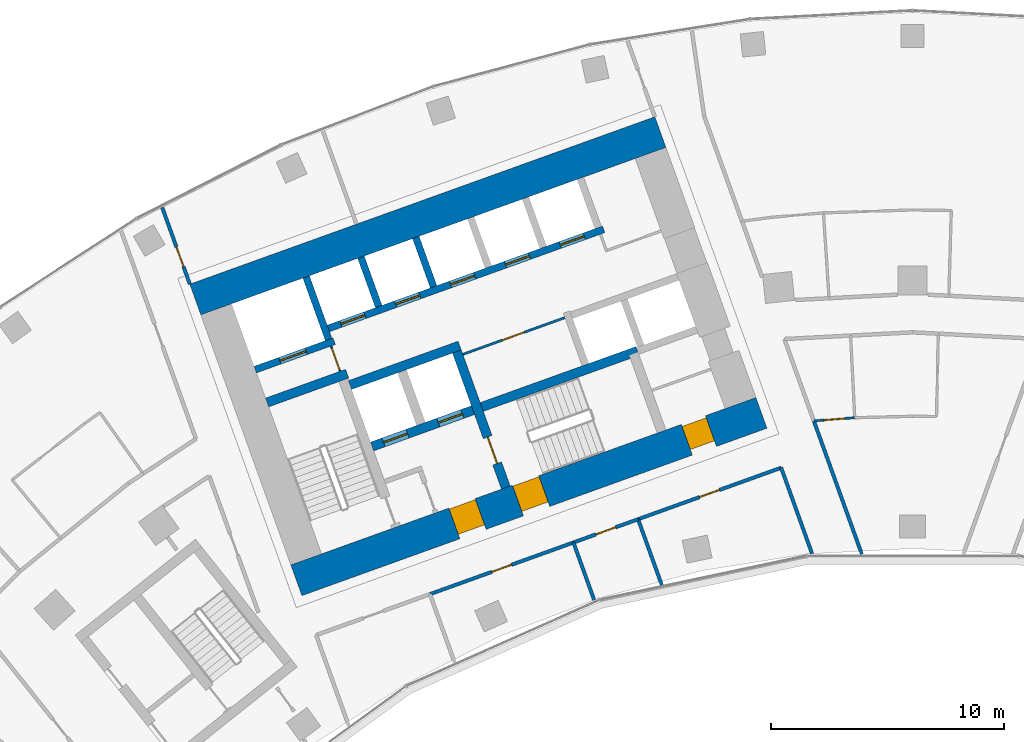
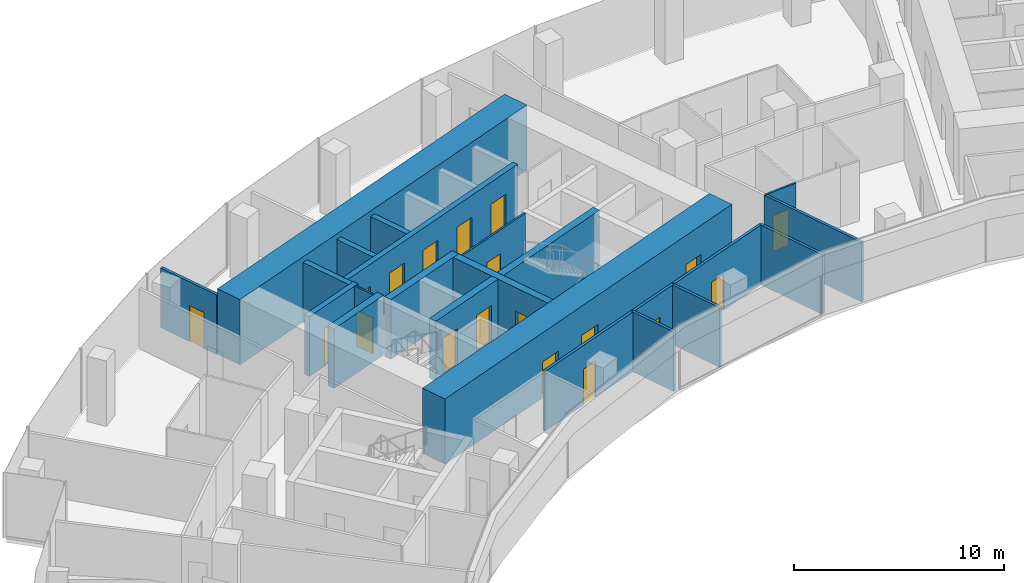
# One storey, part 14 of 21: 22 walls, 19 doors, 19 openings.
"""IFC4 building model written with IfcOpenShell, lengths in metres."""

from ifc_helpers import new_model, si_unit, direction, frame, frame_2d, origin, place, context, subcontext, project, spatial, rectangle, extrude, material, layer, layer_set, type_object, element, fill, save


model = new_model("IFC4")

# Units and contexts
model_context = context("Model", 3, precision=1e-05, world=origin(), true_north=direction((0.0, 1.0)))
body_context = subcontext(model_context, "Body", "Model", "MODEL_VIEW")
ifc_project = project(units=[si_unit("LENGTHUNIT", "METRE"), si_unit("AREAUNIT", "SQUARE_METRE"), si_unit("VOLUMEUNIT", "CUBIC_METRE"), si_unit("PLANEANGLEUNIT", "RADIAN"), si_unit("MASSUNIT", "GRAM", prefix="KILO")], contexts=[model_context])

# Site, building, storey
site_placement = place(None, origin())
site = spatial("IfcSite", under=ifc_project, at=site_placement, CompositionType="ELEMENT")
building_placement = place(site_placement, origin())
building = spatial("IfcBuilding", under=site, at=building_placement, Name="Stone Belt Terrace Tower", CompositionType="ELEMENT")
storey_placement = place(building_placement, frame((0.0, 0.0, 159.199951171875)))
storey = spatial("IfcBuildingStorey", under=building, at=storey_placement, Name="L38", CompositionType="ELEMENT", Elevation=159.199951171875)

# Wall, opening, door
ifc_material_1 = material(Name="Plasterboard partition")
ifc_layer_1 = layer(ifc_material_1, 0.10009765625)
ifc_layer_set_1 = layer_set([ifc_layer_1], Name="Core partition 100")
wall_type_1 = type_object("IfcWallType", Name="Core partition 100", PredefinedType="PARTITIONING", material=ifc_layer_set_1)
wall_1_placement = place(storey_placement, frame((-24.555908203125, 51.10400390625, 0.0), z_axis=(0.0, 0.0, 1.0), x_axis=(-0.338621735342, 0.94092258999, 0.0)))
wall_1 = element("IfcWall", 1, at=wall_1_placement, inside=storey, type_object=wall_type_1, Name="Core A wall", PredefinedType="PARTITIONING", context=body_context, shape_type="SweptSolid", body=[
    extrude(rectangle(XDim=1.14990234375, YDim=0.10009765625, at=frame_2d((0.574951171875, 0.0))), origin(), (0.0, 0.0, 1.0), 3.47998046875),
])
opening_1_placement = place(wall_1_placement, frame((0.050048828125, 0.0, 0.0)))
opening_1 = element("IfcOpeningElement", 2, at=opening_1_placement, cuts=wall_1, Name="Opening L38-C03", PredefinedType="OPENING", context=body_context, shape_type="SweptSolid", body=[
    extrude(rectangle(XDim=1.0, YDim=2.10009765625, at=frame_2d((0.5, 1.050048828125))), frame((0.0, 0.06005859375, 0.0), z_axis=(0.0, -1.0, 0.0), x_axis=(1.0, 0.0, 0.0)), (0.0, 0.0, 1.0), 0.1201171875),
])
ifc_material_2 = material(Name="Timber door leaf", Category="wood")
door_type_1 = type_object("IfcDoorType", Name="Core room door 1000", OperationType="SINGLE_SWING_LEFT", PredefinedType="DOOR", material=ifc_material_2)
door_1_placement = place(opening_1_placement, origin())
door_1 = element("IfcDoor", 3, at=door_1_placement, inside=storey, type_object=door_type_1, Name="Service lift lobby door core A", OperationType="SINGLE_SWING_RIGHT", OverallHeight=2.10009765625, OverallWidth=1.0, PredefinedType="DOOR", context=body_context, shape_type="SweptSolid", body=[
    extrude(rectangle(XDim=1.0, YDim=2.10009765625, at=frame_2d((0.5, 1.050048828125))), frame((0.0, 0.02490234375, 0.0), z_axis=(0.0, -1.0, 0.0), x_axis=(1.0, 0.0, 0.0)), (0.0, 0.0, 1.0), 0.050048828125),
])
fill(opening_1, door_1)

wall_2_placement = place(storey_placement, frame((-19.29052734375, 51.829833984375, 0.0), z_axis=(0.0, 0.0, 1.0), x_axis=(0.940930240745, 0.338600475563, 0.0)))
wall_2 = element("IfcWall", 4, at=wall_2_placement, inside=storey, type_object=wall_type_1, Name="Core A wall", PredefinedType="PARTITIONING", context=body_context, shape_type="SweptSolid", body=[
    extrude(rectangle(XDim=4.64990234375, YDim=0.10009765625, at=frame_2d((2.324951171875, 0.0))), origin(), (0.0, 0.0, 1.0), 3.47998046875),
])
opening_2_placement = place(wall_2_placement, frame((1.800048828125, 0.0, 0.0)))
opening_2 = element("IfcOpeningElement", 5, at=opening_2_placement, cuts=wall_2, Name="Opening L38-C02", PredefinedType="OPENING", context=body_context, shape_type="SweptSolid", body=[
    extrude(rectangle(XDim=1.0, YDim=2.10009765625, at=frame_2d((0.5, 1.050048828125))), frame((0.0, 0.06005859375, 0.0), z_axis=(0.0, -1.0, 0.0), x_axis=(1.0, 0.0, 0.0)), (0.0, 0.0, 1.0), 0.1201171875),
])
door_2_placement = place(opening_2_placement, origin())
door_2 = element("IfcDoor", 6, at=door_2_placement, inside=storey, type_object=door_type_1, Name="Door to Server room core A", OperationType="SINGLE_SWING_RIGHT", OverallHeight=2.10009765625, OverallWidth=1.0, PredefinedType="DOOR", context=body_context, shape_type="SweptSolid", body=[
    extrude(rectangle(XDim=1.0, YDim=2.10009765625, at=frame_2d((0.5, 1.050048828125))), frame((0.0, 0.02490234375, 0.0), z_axis=(0.0, -1.0, 0.0), x_axis=(1.0, 0.0, 0.0)), (0.0, 0.0, 1.0), 0.050048828125),
])
fill(opening_2, door_2)

# Wall, openings, doors
ifc_material_3 = material(Name="Concrete B80", Category="concrete")
ifc_layer_2 = layer(ifc_material_3, 1.39990234375)
ifc_layer_set_2 = layer_set([ifc_layer_2], Name="Core wall 1400 B80")
wall_type_2 = type_object("IfcWallType", Name="Core wall 1400 B80", PredefinedType="SHEAR", material=ifc_layer_set_2)
wall_3_placement = place(storey_placement, frame((-26.430908203125, 42.139404296875, 0.0), z_axis=(0.0, 0.0, 1.0), x_axis=(0.940923374003, 0.33861955681, 0.0)))
wall_3 = element("IfcWall", 7, at=wall_3_placement, inside=storey, type_object=wall_type_2, Name="Core A wall concave L38", PredefinedType="SHEAR", context=body_context, shape_type="SweptSolid", body=[
    extrude(rectangle(XDim=21.199951171875, YDim=1.39990234375, at=frame_2d((10.60009765625, 0.0))), origin(), (0.0, 0.0, 1.0), 3.800048828125),
])
opening_3_placement = place(wall_3_placement, frame((7.199951171875, 0.0, 0.0)))
opening_3 = element("IfcOpeningElement", 8, at=opening_3_placement, cuts=wall_3, Name="Opening L38-C07", PredefinedType="OPENING", context=body_context, shape_type="SweptSolid", body=[
    extrude(rectangle(XDim=1.199951171875, YDim=2.10009765625, at=frame_2d((0.60009765625, 1.050048828125))), frame((0.0, 0.7099609375, 0.0), z_axis=(0.0, -1.0, 0.0), x_axis=(1.0, 0.0, 0.0)), (0.0, 0.0, 1.0), 1.419921875),
])
opening_4_placement = place(wall_3_placement, frame((10.099853515625, 0.0, 0.0)))
opening_4 = element("IfcOpeningElement", 9, at=opening_4_placement, cuts=wall_3, Name="Opening L38-C09", PredefinedType="OPENING", context=body_context, shape_type="SweptSolid", body=[
    extrude(rectangle(XDim=1.199951171875, YDim=2.10009765625, at=frame_2d((0.60009765625, 1.050048828125))), frame((0.0, 0.7099609375, 0.0), z_axis=(0.0, -1.0, 0.0), x_axis=(1.0, 0.0, 0.0)), (0.0, 0.0, 1.0), 1.419921875),
])
opening_5_placement = place(wall_3_placement, frame((17.800048828125, 0.0, 0.0)))
opening_5 = element("IfcOpeningElement", 10, at=opening_5_placement, cuts=wall_3, Name="Opening L38-C11", PredefinedType="OPENING", context=body_context, shape_type="SweptSolid", body=[
    extrude(rectangle(XDim=1.10009765625, YDim=2.10009765625, at=frame_2d((0.550048828125, 1.050048828125))), frame((0.0, 0.7099609375, 0.0), z_axis=(0.0, -1.0, 0.0), x_axis=(1.0, 0.0, 0.0)), (0.0, 0.0, 1.0), 1.419921875),
])
door_type_2 = type_object("IfcDoorType", Name="Core room door 1100", OperationType="SINGLE_SWING_LEFT", PredefinedType="DOOR", material=ifc_material_2)
door_3_placement = place(opening_5_placement, origin())
door_3 = element("IfcDoor", 11, at=door_3_placement, inside=storey, type_object=door_type_2, Name="Door to Cleaner's store core A", OperationType="SINGLE_SWING_RIGHT", OverallHeight=2.10009765625, OverallWidth=1.10009765625, PredefinedType="DOOR", context=body_context, shape_type="SweptSolid", body=[
    extrude(rectangle(XDim=1.10009765625, YDim=2.10009765625, at=frame_2d((0.550048828125, 1.050048828125))), frame((0.0, 0.60498046875, 0.0), z_axis=(0.0, -1.0, 0.0), x_axis=(1.0, 0.0, 0.0)), (0.0, 0.0, 1.0), 1.050048828125),
])
fill(opening_5, door_3)
ifc_material_4 = material(Name="Steel door leaf", Category="steel")
door_type_3 = type_object("IfcDoorType", Name="Fire-fighting lobby door 1200", OperationType="SINGLE_SWING_LEFT", PredefinedType="DOOR", material=ifc_material_4)
door_4_placement = place(opening_3_placement, origin())
door_4 = element("IfcDoor", 12, at=door_4_placement, inside=storey, type_object=door_type_3, Name="Fire-fighting lobby door core A", OperationType="SINGLE_SWING_RIGHT", OverallHeight=2.10009765625, OverallWidth=1.199951171875, PredefinedType="DOOR", context=body_context, shape_type="SweptSolid", body=[
    extrude(rectangle(XDim=1.199951171875, YDim=2.10009765625, at=frame_2d((0.60009765625, 1.050048828125))), frame((0.0, 0.655029296875, 0.0), z_axis=(0.0, -1.0, 0.0), x_axis=(1.0, 0.0, 0.0)), (0.0, 0.0, 1.0), 1.14990234375),
])
fill(opening_3, door_4)
door_type_4 = type_object("IfcDoorType", Name="Stair door 1200", OperationType="SINGLE_SWING_LEFT", PredefinedType="DOOR", material=ifc_material_4)
door_5_placement = place(opening_4_placement, origin())
door_5 = element("IfcDoor", 13, at=door_5_placement, inside=storey, type_object=door_type_4, Name="Stair 2 exit door core A", OperationType="SINGLE_SWING_LEFT", OverallHeight=2.10009765625, OverallWidth=1.199951171875, PredefinedType="DOOR", context=body_context, shape_type="SweptSolid", body=[
    extrude(rectangle(XDim=1.199951171875, YDim=2.10009765625, at=frame_2d((0.60009765625, 1.050048828125))), frame((0.0, 0.655029296875, 0.0), z_axis=(0.0, -1.0, 0.0), x_axis=(1.0, 0.0, 0.0)), (0.0, 0.0, 1.0), 1.14990234375),
])
fill(opening_4, door_5)

# Walls
wall_4_placement = place(storey_placement, frame((-30.765380859375, 54.18310546875, 0.0), z_axis=(0.0, 0.0, 1.0), x_axis=(0.940919704758, 0.338629752382, 0.0)))
element("IfcWall", 14, at=wall_4_placement, inside=storey, type_object=wall_type_2, Name="Core A wall convex L38", PredefinedType="SHEAR", context=body_context, shape_type="SweptSolid", body=[
    extrude(rectangle(XDim=21.199951171875, YDim=1.39990234375, at=frame_2d((10.60009765625, 0.0))), origin(), (0.0, 0.0, 1.0), 3.800048828125),
])
ifc_layer_3 = layer(ifc_material_3, 0.39990234375)
ifc_layer_set_3 = layer_set([ifc_layer_3], Name="Fire-fighting lift shaft wall 400")
wall_type_3 = type_object("IfcWallType", Name="Fire-fighting lift shaft wall 400", PredefinedType="SHEAR", material=ifc_layer_set_3)
wall_5_placement = place(storey_placement, frame((-24.130615234375, 50.512939453125, 0.0), z_axis=(0.0, 0.0, 1.0), x_axis=(0.94091168377, 0.338652038744, 0.0)))
element("IfcWall", 15, at=wall_5_placement, inside=storey, type_object=wall_type_3, Name="Core A wall", PredefinedType="SHEAR", context=body_context, shape_type="SweptSolid", body=[
    extrude(rectangle(XDim=5.000244140625, YDim=0.39990234375, at=frame_2d((2.5, 0.0))), origin(), (0.0, 0.0, 1.0), 3.47998046875),
])

# Wall, opening, door
ifc_layer_4 = layer(ifc_material_3, 0.300048828125)
ifc_layer_set_4 = layer_set([ifc_layer_4], Name="Lift shaft wall 300")
wall_type_4 = type_object("IfcWallType", Name="Lift shaft wall 300", PredefinedType="SHEAR", material=ifc_layer_set_4)
wall_6_placement = place(storey_placement, frame((-28.195068359375, 51.17578125, 0.0), z_axis=(0.0, 0.0, 1.0), x_axis=(0.940901243567, 0.338681044427, 0.0)))
wall_6 = element("IfcWall", 16, at=wall_6_placement, inside=storey, type_object=wall_type_4, Name="Core A wall", PredefinedType="SHEAR", context=body_context, shape_type="SweptSolid", body=[
    extrude(rectangle(XDim=3.599853515625, YDim=0.300048828125, at=frame_2d((1.7998046875, 0.0))), origin(), (0.0, 0.0, 1.0), 3.47998046875),
])
opening_6_placement = place(wall_6_placement, frame((1.1201171875, 0.0, 0.0)))
opening_6 = element("IfcOpeningElement", 17, at=opening_6_placement, cuts=wall_6, Name="Opening L38-LD08", PredefinedType="OPENING", context=body_context, shape_type="SweptSolid", body=[
    extrude(rectangle(XDim=1.199951171875, YDim=2.199951171875, at=frame_2d((0.60009765625, 1.10009765625))), frame((0.0, 0.159912109375, 0.0), z_axis=(0.0, -1.0, 0.0), x_axis=(1.0, 0.0, 0.0)), (0.0, 0.0, 1.0), 0.320068359375),
])
ifc_material_5 = material(Name="Stainless steel door leaf", Category="steel")
door_type_5 = type_object("IfcDoorType", Name="Landing door 1200", OperationType="SLIDING_TO_LEFT", PredefinedType="DOOR", material=ifc_material_5)
door_6_placement = place(opening_6_placement, origin())
door_6 = element("IfcDoor", 18, at=door_6_placement, inside=storey, type_object=door_type_5, Name="Landing door SV1 core A", OperationType="SLIDING_TO_LEFT", OverallHeight=2.199951171875, OverallWidth=1.199951171875, PredefinedType="DOOR", context=body_context, shape_type="SweptSolid", body=[
    extrude(rectangle(XDim=1.199951171875, YDim=2.199951171875, at=frame_2d((0.60009765625, 1.10009765625))), frame((0.0, 0.02490234375, 0.0), z_axis=(0.0, -1.0, 0.0), x_axis=(1.0, 0.0, 0.0)), (0.0, 0.0, 1.0), 0.050048828125),
])
fill(opening_6, door_6)

# Wall
wall_7_placement = place(storey_placement, frame((-25.046875, 52.46826171875, 0.0), z_axis=(0.0, 0.0, 1.0), x_axis=(-0.338549588058, 0.940948551423, 0.0)))
element("IfcWall", 19, at=wall_7_placement, inside=storey, type_object=wall_type_4, Name="Core A wall", PredefinedType="SHEAR", context=body_context, shape_type="SweptSolid", body=[
    extrude(rectangle(XDim=2.849853515625, YDim=0.300048828125, at=frame_2d((1.4248046875, 0.0))), origin(), (0.0, 0.0, 1.0), 3.47998046875),
])

# Wall, openings, doors
wall_8_placement = place(storey_placement, frame((-25.05810546875, 52.9423828125, 0.0), z_axis=(0.0, 0.0, 1.0), x_axis=(0.940921381676, 0.338625092847, 0.0)))
wall_8 = element("IfcWall", 20, at=wall_8_placement, inside=storey, type_object=wall_type_4, Name="Core A wall", PredefinedType="SHEAR", context=body_context, shape_type="SweptSolid", body=[
    extrude(rectangle(XDim=12.550048828125, YDim=0.300048828125, at=frame_2d((6.27490234375, 0.0))), origin(), (0.0, 0.0, 1.0), 3.47998046875),
])
opening_7_placement = place(wall_8_placement, frame((0.570068359375, 0.0, 0.0)))
opening_7 = element("IfcOpeningElement", 21, at=opening_7_placement, cuts=wall_8, Name="Opening L38-LD01", PredefinedType="OPENING", context=body_context, shape_type="SweptSolid", body=[
    extrude(rectangle(XDim=1.10009765625, YDim=2.199951171875, at=frame_2d((0.550048828125, 1.10009765625))), frame((0.0, 0.159912109375, 0.0), z_axis=(0.0, -1.0, 0.0), x_axis=(1.0, 0.0, 0.0)), (0.0, 0.0, 1.0), 0.320068359375),
])
opening_8_placement = place(wall_8_placement, frame((3.070068359375, 0.0, 0.0)))
opening_8 = element("IfcOpeningElement", 22, at=opening_8_placement, cuts=wall_8, Name="Opening L38-LD02", PredefinedType="OPENING", context=body_context, shape_type="SweptSolid", body=[
    extrude(rectangle(XDim=1.10009765625, YDim=2.199951171875, at=frame_2d((0.550048828125, 1.10009765625))), frame((0.0, 0.159912109375, 0.0), z_axis=(0.0, -1.0, 0.0), x_axis=(1.0, 0.0, 0.0)), (0.0, 0.0, 1.0), 0.320068359375),
])
opening_9_placement = place(wall_8_placement, frame((5.570068359375, 0.0, 0.0)))
opening_9 = element("IfcOpeningElement", 23, at=opening_9_placement, cuts=wall_8, Name="Opening L38-LD03", PredefinedType="OPENING", context=body_context, shape_type="SweptSolid", body=[
    extrude(rectangle(XDim=1.10009765625, YDim=2.199951171875, at=frame_2d((0.550048828125, 1.10009765625))), frame((0.0, 0.159912109375, 0.0), z_axis=(0.0, -1.0, 0.0), x_axis=(1.0, 0.0, 0.0)), (0.0, 0.0, 1.0), 0.320068359375),
])
opening_10_placement = place(wall_8_placement, frame((8.070068359375, 0.0, 0.0)))
opening_10 = element("IfcOpeningElement", 24, at=opening_10_placement, cuts=wall_8, Name="Opening L38-LD04", PredefinedType="OPENING", context=body_context, shape_type="SweptSolid", body=[
    extrude(rectangle(XDim=1.10009765625, YDim=2.199951171875, at=frame_2d((0.550048828125, 1.10009765625))), frame((0.0, 0.159912109375, 0.0), z_axis=(0.0, -1.0, 0.0), x_axis=(1.0, 0.0, 0.0)), (0.0, 0.0, 1.0), 0.320068359375),
])
opening_11_placement = place(wall_8_placement, frame((10.570068359375, 0.0, 0.0)))
opening_11 = element("IfcOpeningElement", 25, at=opening_11_placement, cuts=wall_8, Name="Opening L38-LD05", PredefinedType="OPENING", context=body_context, shape_type="SweptSolid", body=[
    extrude(rectangle(XDim=1.10009765625, YDim=2.199951171875, at=frame_2d((0.550048828125, 1.10009765625))), frame((0.0, 0.159912109375, 0.0), z_axis=(0.0, -1.0, 0.0), x_axis=(1.0, 0.0, 0.0)), (0.0, 0.0, 1.0), 0.320068359375),
])
door_type_6 = type_object("IfcDoorType", Name="Landing door 1100", OperationType="SLIDING_TO_LEFT", PredefinedType="DOOR", material=ifc_material_5)
door_7_placement = place(opening_7_placement, origin())
door_7 = element("IfcDoor", 26, at=door_7_placement, inside=storey, type_object=door_type_6, Name="Landing door MR1 core A", OperationType="SLIDING_TO_LEFT", OverallHeight=2.199951171875, OverallWidth=1.10009765625, PredefinedType="DOOR", context=body_context, shape_type="SweptSolid", body=[
    extrude(rectangle(XDim=1.10009765625, YDim=2.199951171875, at=frame_2d((0.550048828125, 1.10009765625))), frame((0.0, 0.02490234375, 0.0), z_axis=(0.0, -1.0, 0.0), x_axis=(1.0, 0.0, 0.0)), (0.0, 0.0, 1.0), 0.050048828125),
])
fill(opening_7, door_7)
door_8_placement = place(opening_8_placement, origin())
door_8 = element("IfcDoor", 27, at=door_8_placement, inside=storey, type_object=door_type_6, Name="Landing door MR2 core A", OperationType="SLIDING_TO_LEFT", OverallHeight=2.199951171875, OverallWidth=1.10009765625, PredefinedType="DOOR", context=body_context, shape_type="SweptSolid", body=[
    extrude(rectangle(XDim=1.10009765625, YDim=2.199951171875, at=frame_2d((0.550048828125, 1.10009765625))), frame((0.0, 0.02490234375, 0.0), z_axis=(0.0, -1.0, 0.0), x_axis=(1.0, 0.0, 0.0)), (0.0, 0.0, 1.0), 0.050048828125),
])
fill(opening_8, door_8)
door_9_placement = place(opening_9_placement, origin())
door_9 = element("IfcDoor", 28, at=door_9_placement, inside=storey, type_object=door_type_6, Name="Landing door MR3 core A", OperationType="SLIDING_TO_LEFT", OverallHeight=2.199951171875, OverallWidth=1.10009765625, PredefinedType="DOOR", context=body_context, shape_type="SweptSolid", body=[
    extrude(rectangle(XDim=1.10009765625, YDim=2.199951171875, at=frame_2d((0.550048828125, 1.10009765625))), frame((0.0, 0.02490234375, 0.0), z_axis=(0.0, -1.0, 0.0), x_axis=(1.0, 0.0, 0.0)), (0.0, 0.0, 1.0), 0.050048828125),
])
fill(opening_9, door_9)
door_10_placement = place(opening_10_placement, origin())
door_10 = element("IfcDoor", 29, at=door_10_placement, inside=storey, type_object=door_type_6, Name="Landing door MR4 core A", OperationType="SLIDING_TO_LEFT", OverallHeight=2.199951171875, OverallWidth=1.10009765625, PredefinedType="DOOR", context=body_context, shape_type="SweptSolid", body=[
    extrude(rectangle(XDim=1.10009765625, YDim=2.199951171875, at=frame_2d((0.550048828125, 1.10009765625))), frame((0.0, 0.02490234375, 0.0), z_axis=(0.0, -1.0, 0.0), x_axis=(1.0, 0.0, 0.0)), (0.0, 0.0, 1.0), 0.050048828125),
])
fill(opening_10, door_10)
door_11_placement = place(opening_11_placement, origin())
door_11 = element("IfcDoor", 30, at=door_11_placement, inside=storey, type_object=door_type_6, Name="Landing door MR5 core A", OperationType="SLIDING_TO_LEFT", OverallHeight=2.199951171875, OverallWidth=1.10009765625, PredefinedType="DOOR", context=body_context, shape_type="SweptSolid", body=[
    extrude(rectangle(XDim=1.10009765625, YDim=2.199951171875, at=frame_2d((0.550048828125, 1.10009765625))), frame((0.0, 0.02490234375, 0.0), z_axis=(0.0, -1.0, 0.0), x_axis=(1.0, 0.0, 0.0)), (0.0, 0.0, 1.0), 0.050048828125),
])
fill(opening_11, door_11)

# Walls
wall_9_placement = place(storey_placement, frame((-22.897705078125, 53.87939453125, 0.0), z_axis=(0.0, 0.0, 1.0), x_axis=(-0.338535034312, 0.940953787677, 0.0)))
element("IfcWall", 31, at=wall_9_placement, inside=storey, type_object=wall_type_4, Name="Core A wall", PredefinedType="SHEAR", context=body_context, shape_type="SweptSolid", body=[
    extrude(rectangle(XDim=2.25, YDim=0.300048828125, at=frame_2d((1.125, 0.0))), origin(), (0.0, 0.0, 1.0), 3.47998046875),
])
wall_10_placement = place(storey_placement, frame((-20.54541015625, 54.72607421875, 0.0), z_axis=(0.0, 0.0, 1.0), x_axis=(-0.338569601369, 0.940941350472, 0.0)))
element("IfcWall", 32, at=wall_10_placement, inside=storey, type_object=wall_type_4, Name="Core A wall", PredefinedType="SHEAR", context=body_context, shape_type="SweptSolid", body=[
    extrude(rectangle(XDim=2.249755859375, YDim=0.300048828125, at=frame_2d((1.125, 0.0))), origin(), (0.0, 0.0, 1.0), 3.47998046875),
])

# Wall, opening, door
ifc_material_6 = material(Name="Gypsum board partition")
ifc_layer_5 = layer(ifc_material_6, 0.10009765625)
ifc_layer_set_5 = layer_set([ifc_layer_5], Name="PARTITION 100")
wall_type_5 = type_object("IfcWallType", Name="PARTITION 100", PredefinedType="PARTITIONING", material=ifc_layer_set_5)
wall_11_placement = place(storey_placement, frame((-4.235107421875, 48.97607421875, 0.0), z_axis=(0.0, 0.0, 1.0), x_axis=(0.997008598424, 0.077290715285, 0.0)))
wall_11 = element("IfcWall", 33, at=wall_11_placement, inside=storey, type_object=wall_type_5, Name="L38/wall/i091", PredefinedType="PARTITIONING", context=body_context, shape_type="SweptSolid", body=[
    extrude(rectangle(XDim=1.759521484375, YDim=0.10009765625, at=frame_2d((0.8798828125, 0.0))), origin(), (0.0, 0.0, 1.0), 3.47998046875),
])
opening_12_placement = place(wall_11_placement, frame((0.4296875, 0.0, 0.0)))
opening_12 = element("IfcOpeningElement", 34, at=opening_12_placement, cuts=wall_11, Name="Opening D-C2-28", PredefinedType="OPENING", context=body_context, shape_type="SweptSolid", body=[
    extrude(rectangle(XDim=0.89990234375, YDim=2.10009765625, at=frame_2d((0.449951171875, 1.050048828125))), frame((0.0, 0.06005859375, 0.0), z_axis=(0.0, -1.0, 0.0), x_axis=(1.0, 0.0, 0.0)), (0.0, 0.0, 1.0), 0.1201171875),
])
door_type_7 = type_object("IfcDoorType", Name="OFFICE DOOR 900 X 2100", OperationType="NOTDEFINED", PredefinedType="DOOR", material=ifc_material_2)
door_12_placement = place(opening_12_placement, origin())
door_12 = element("IfcDoor", 35, at=door_12_placement, inside=storey, type_object=door_type_7, Name="L38/door/i28", OperationType="SINGLE_SWING_RIGHT", OverallHeight=2.10009765625, OverallWidth=0.89990234375, PredefinedType="DOOR", context=body_context, shape_type="SweptSolid", body=[
    extrude(rectangle(XDim=0.89990234375, YDim=2.10009765625, at=frame_2d((0.449951171875, 1.050048828125))), frame((0.0, 0.02490234375, 0.0), z_axis=(0.0, -1.0, 0.0), x_axis=(1.0, 0.0, 0.0)), (0.0, 0.0, 1.0), 0.050048828125),
])
fill(opening_12, door_12)

ifc_layer_6 = layer(ifc_material_6, 0.14990234375)
ifc_layer_set_6 = layer_set([ifc_layer_6], Name="PARTITION 150 EI 60")
wall_type_6 = type_object("IfcWallType", Name="PARTITION 150 EI 60", PredefinedType="PARTITIONING", material=ifc_layer_set_6)
wall_12_placement = place(storey_placement, frame((-32.185791015625, 58.131103515625, 0.0), z_axis=(0.0, 0.0, 1.0), x_axis=(0.338662585219, -0.940907887826, 0.0)))
wall_12 = element("IfcWall", 36, at=wall_12_placement, inside=storey, type_object=wall_type_6, Name="L38/wall/i002", PredefinedType="PARTITIONING", context=body_context, shape_type="SweptSolid", body=[
    extrude(rectangle(XDim=3.49560546875, YDim=0.14990234375, at=frame_2d((1.747802734375, 0.0))), origin(), (0.0, 0.0, 1.0), 3.47998046875),
])
opening_13_placement = place(wall_12_placement, frame((1.796630859375, 0.0, 0.0)))
opening_13 = element("IfcOpeningElement", 37, at=opening_13_placement, cuts=wall_12, Name="Opening D-C2-05", PredefinedType="OPENING", context=body_context, shape_type="SweptSolid", body=[
    extrude(rectangle(XDim=0.89990234375, YDim=2.10009765625, at=frame_2d((0.449951171875, 1.050048828125))), frame((0.0, 0.0849609375, 0.0), z_axis=(0.0, -1.0, 0.0), x_axis=(1.0, 0.0, 0.0)), (0.0, 0.0, 1.0), 0.169921875),
])
door_13_placement = place(opening_13_placement, origin())
door_13 = element("IfcDoor", 38, at=door_13_placement, inside=storey, type_object=door_type_7, Name="L38/door/i05", OperationType="SINGLE_SWING_RIGHT", OverallHeight=2.10009765625, OverallWidth=0.89990234375, PredefinedType="DOOR", context=body_context, shape_type="SweptSolid", body=[
    extrude(rectangle(XDim=0.89990234375, YDim=2.10009765625, at=frame_2d((0.449951171875, 1.050048828125))), frame((0.0, 0.02490234375, 0.0), z_axis=(0.0, -1.0, 0.0), x_axis=(1.0, 0.0, 0.0)), (0.0, 0.0, 1.0), 0.050048828125),
])
fill(opening_13, door_13)

# Walls
wall_13_placement = place(storey_placement, frame((-4.31005859375, 43.27880859375, 0.0), z_axis=(0.0, 0.0, 1.0), x_axis=(-0.338569683937, 0.940941320763, 0.0)))
element("IfcWall", 39, at=wall_13_placement, inside=storey, type_object=wall_type_6, Name="L38/wall/i007", PredefinedType="PARTITIONING", context=body_context, shape_type="SweptSolid", body=[
    extrude(rectangle(XDim=3.9248046875, YDim=0.14990234375, at=frame_2d((1.96240234375, 0.0))), origin(), (0.0, 0.0, 1.0), 3.47998046875),
])
wall_14_placement = place(storey_placement, frame((-4.237060546875, 48.98193359375, 0.0), z_axis=(0.0, 0.0, 1.0), x_axis=(0.338619922339, -0.940923242457, 0.0)))
element("IfcWall", 40, at=wall_14_placement, inside=storey, type_object=wall_type_6, Name="L38/wall/i009", PredefinedType="PARTITIONING", context=body_context, shape_type="SweptSolid", body=[
    extrude(rectangle(XDim=6.079345703125, YDim=0.14990234375, at=frame_2d((3.03955078125, 0.0))), origin(), (0.0, 0.0, 1.0), 3.47998046875),
])

# Wall, opening, door
wall_15_placement = place(storey_placement, frame((-14.541015625, 43.761962890625, 0.0), z_axis=(0.0, 0.0, 1.0), x_axis=(-0.940877438466, -0.338747170889, 0.0)))
wall_15 = element("IfcWall", 41, at=wall_15_placement, inside=storey, type_object=wall_type_6, Name="L38/wall/i015", PredefinedType="PARTITIONING", context=body_context, shape_type="SweptSolid", body=[
    extrude(rectangle(XDim=6.553466796875, YDim=0.14990234375, at=frame_2d((3.27685546875, 0.0))), origin(), (0.0, 0.0, 1.0), 3.47998046875),
])
opening_14_placement = place(wall_15_placement, frame((2.82666015625, 0.0, 0.0)))
opening_14 = element("IfcOpeningElement", 42, at=opening_14_placement, cuts=wall_15, Name="Opening D-C2-02", PredefinedType="OPENING", context=body_context, shape_type="SweptSolid", body=[
    extrude(rectangle(XDim=0.89990234375, YDim=2.10009765625, at=frame_2d((0.449951171875, 1.050048828125))), frame((0.0, 0.0849609375, 0.0), z_axis=(0.0, -1.0, 0.0), x_axis=(1.0, 0.0, 0.0)), (0.0, 0.0, 1.0), 0.169921875),
])
door_14_placement = place(opening_14_placement, origin())
door_14 = element("IfcDoor", 43, at=door_14_placement, inside=storey, type_object=door_type_7, Name="L38/door/i02", OperationType="SINGLE_SWING_RIGHT", OverallHeight=2.10009765625, OverallWidth=0.89990234375, PredefinedType="DOOR", context=body_context, shape_type="SweptSolid", body=[
    extrude(rectangle(XDim=0.89990234375, YDim=2.10009765625, at=frame_2d((0.449951171875, 1.050048828125))), frame((0.0, 0.02490234375, 0.0), z_axis=(0.0, -1.0, 0.0), x_axis=(1.0, 0.0, 0.0)), (0.0, 0.0, 1.0), 0.050048828125),
])
fill(opening_14, door_14)

wall_16_placement = place(storey_placement, frame((-11.76806640625, 44.760009765625, 0.0), z_axis=(0.0, 0.0, 1.0), x_axis=(-0.940915809534, -0.338640575491, 0.0)))
wall_16 = element("IfcWall", 44, at=wall_16_placement, inside=storey, type_object=wall_type_6, Name="L38/wall/i016", PredefinedType="PARTITIONING", context=body_context, shape_type="SweptSolid", body=[
    extrude(rectangle(XDim=2.958740234375, YDim=0.14990234375, at=frame_2d((1.4794921875, 0.0))), origin(), (0.0, 0.0, 1.0), 3.47998046875),
])
opening_15_placement = place(wall_16_placement, frame((1.029296875, 0.0, 0.0)))
opening_15 = element("IfcOpeningElement", 45, at=opening_15_placement, cuts=wall_16, Name="Opening D-C2-03", PredefinedType="OPENING", context=body_context, shape_type="SweptSolid", body=[
    extrude(rectangle(XDim=0.89990234375, YDim=2.10009765625, at=frame_2d((0.449951171875, 1.050048828125))), frame((0.0, 0.0849609375, 0.0), z_axis=(0.0, -1.0, 0.0), x_axis=(1.0, 0.0, 0.0)), (0.0, 0.0, 1.0), 0.169921875),
])
door_15_placement = place(opening_15_placement, origin())
door_15 = element("IfcDoor", 46, at=door_15_placement, inside=storey, type_object=door_type_7, Name="L38/door/i03", OperationType="SINGLE_SWING_RIGHT", OverallHeight=2.10009765625, OverallWidth=0.89990234375, PredefinedType="DOOR", context=body_context, shape_type="SweptSolid", body=[
    extrude(rectangle(XDim=0.89990234375, YDim=2.10009765625, at=frame_2d((0.449951171875, 1.050048828125))), frame((0.0, 0.02490234375, 0.0), z_axis=(0.0, -1.0, 0.0), x_axis=(1.0, 0.0, 0.0)), (0.0, 0.0, 1.0), 0.050048828125),
])
fill(opening_15, door_15)

wall_17_placement = place(storey_placement, frame((-5.636962890625, 46.966064453125, 0.0), z_axis=(0.0, 0.0, 1.0), x_axis=(-0.940945566249, -0.338557884795, 0.0)))
wall_17 = element("IfcWall", 47, at=wall_17_placement, inside=storey, type_object=wall_type_6, Name="L38/wall/i017", PredefinedType="PARTITIONING", context=body_context, shape_type="SweptSolid", body=[
    extrude(rectangle(XDim=6.527587890625, YDim=0.14990234375, at=frame_2d((3.263671875, 0.0))), origin(), (0.0, 0.0, 1.0), 3.47998046875),
])
opening_16_placement = place(wall_17_placement, frame((2.813720703125, 0.0, 0.0)))
opening_16 = element("IfcOpeningElement", 48, at=opening_16_placement, cuts=wall_17, Name="Opening D-C2-04", PredefinedType="OPENING", context=body_context, shape_type="SweptSolid", body=[
    extrude(rectangle(XDim=0.89990234375, YDim=2.10009765625, at=frame_2d((0.449951171875, 1.050048828125))), frame((0.0, 0.0849609375, 0.0), z_axis=(0.0, -1.0, 0.0), x_axis=(1.0, 0.0, 0.0)), (0.0, 0.0, 1.0), 0.169921875),
])
door_16_placement = place(opening_16_placement, origin())
door_16 = element("IfcDoor", 49, at=door_16_placement, inside=storey, type_object=door_type_7, Name="L38/door/i04", OperationType="SINGLE_SWING_RIGHT", OverallHeight=2.10009765625, OverallWidth=0.89990234375, PredefinedType="DOOR", context=body_context, shape_type="SweptSolid", body=[
    extrude(rectangle(XDim=0.89990234375, YDim=2.10009765625, at=frame_2d((0.449951171875, 1.050048828125))), frame((0.0, 0.02490234375, 0.0), z_axis=(0.0, -1.0, 0.0), x_axis=(1.0, 0.0, 0.0)), (0.0, 0.0, 1.0), 0.050048828125),
])
fill(opening_16, door_16)

# Walls
wall_18_placement = place(storey_placement, frame((-14.5458984375, 43.759033203125, 0.0), z_axis=(0.0, 0.0, 1.0), x_axis=(0.33892689615, -0.940812712003, 0.0)))
element("IfcWall", 50, at=wall_18_placement, inside=storey, type_object=wall_type_6, Name="L38/wall/i019", PredefinedType="PARTITIONING", context=body_context, shape_type="SweptSolid", body=[
    extrude(rectangle(XDim=2.625732421875, YDim=0.14990234375, at=frame_2d((1.31298828125, 0.0))), origin(), (0.0, 0.0, 1.0), 3.47998046875),
])
wall_19_placement = place(storey_placement, frame((-11.77294921875, 44.757080078125, 0.0), z_axis=(0.0, 0.0, 1.0), x_axis=(0.338702136276, -0.940893651207, 0.0)))
element("IfcWall", 51, at=wall_19_placement, inside=storey, type_object=wall_type_6, Name="L38/wall/i020", PredefinedType="PARTITIONING", context=body_context, shape_type="SweptSolid", body=[
    extrude(rectangle(XDim=2.992919921875, YDim=0.14990234375, at=frame_2d((1.49658203125, 0.0))), origin(), (0.0, 0.0, 1.0), 3.47998046875),
])
ifc_layer_7 = layer(ifc_material_3, 0.39990234375)
ifc_layer_set_7 = layer_set([ifc_layer_7], Name="Stair enclosure wall 400")
wall_type_7 = type_object("IfcWallType", Name="Stair enclosure wall 400", PredefinedType="SHEAR", material=ifc_layer_set_7)
wall_20_placement = place(storey_placement, frame((-27.687255859375, 49.764404296875, 0.0), z_axis=(0.0, 0.0, 1.0), x_axis=(0.940918954884, 0.338631835981, 0.0)))
element("IfcWall", 52, at=wall_20_placement, inside=storey, type_object=wall_type_7, Name="Core A wall", PredefinedType="SHEAR", context=body_context, shape_type="SweptSolid", body=[
    extrude(rectangle(XDim=3.650146484375, YDim=0.39990234375, at=frame_2d((1.8251953125, 0.0))), origin(), (0.0, 0.0, 1.0), 3.47998046875),
])

# Wall, openings, doors
wall_21_placement = place(storey_placement, frame((-23.182373046875, 47.87841796875, 0.0), z_axis=(0.0, 0.0, 1.0), x_axis=(0.940921101762, 0.338625870628, 0.0)))
wall_21 = element("IfcWall", 53, at=wall_21_placement, inside=storey, type_object=wall_type_7, Name="Core A wall", PredefinedType="SHEAR", context=body_context, shape_type="SweptSolid", body=[
    extrude(rectangle(XDim=12.10009765625, YDim=0.39990234375, at=frame_2d((6.050048828125, 0.0))), origin(), (0.0, 0.0, 1.0), 3.47998046875),
])
opening_17_placement = place(wall_21_placement, frame((0.52001953125, 0.0, 0.0)))
opening_17 = element("IfcOpeningElement", 54, at=opening_17_placement, cuts=wall_21, Name="Opening L38-LD06", PredefinedType="OPENING", context=body_context, shape_type="SweptSolid", body=[
    extrude(rectangle(XDim=1.10009765625, YDim=2.199951171875, at=frame_2d((0.550048828125, 1.10009765625))), frame((0.0, 0.2099609375, 0.0), z_axis=(0.0, -1.0, 0.0), x_axis=(1.0, 0.0, 0.0)), (0.0, 0.0, 1.0), 0.419921875),
])
opening_18_placement = place(wall_21_placement, frame((3.02001953125, 0.0, 0.0)))
opening_18 = element("IfcOpeningElement", 55, at=opening_18_placement, cuts=wall_21, Name="Opening L38-LD07", PredefinedType="OPENING", context=body_context, shape_type="SweptSolid", body=[
    extrude(rectangle(XDim=1.10009765625, YDim=2.199951171875, at=frame_2d((0.550048828125, 1.10009765625))), frame((0.0, 0.2099609375, 0.0), z_axis=(0.0, -1.0, 0.0), x_axis=(1.0, 0.0, 0.0)), (0.0, 0.0, 1.0), 0.419921875),
])
door_17_placement = place(opening_17_placement, origin())
door_17 = element("IfcDoor", 56, at=door_17_placement, inside=storey, type_object=door_type_6, Name="Landing door FF1 core A", OperationType="SLIDING_TO_LEFT", OverallHeight=2.199951171875, OverallWidth=1.10009765625, PredefinedType="DOOR", context=body_context, shape_type="SweptSolid", body=[
    extrude(rectangle(XDim=1.10009765625, YDim=2.199951171875, at=frame_2d((0.550048828125, 1.10009765625))), frame((0.0, 0.02490234375, 0.0), z_axis=(0.0, -1.0, 0.0), x_axis=(1.0, 0.0, 0.0)), (0.0, 0.0, 1.0), 0.050048828125),
])
fill(opening_17, door_17)
door_18_placement = place(opening_18_placement, origin())
door_18 = element("IfcDoor", 57, at=door_18_placement, inside=storey, type_object=door_type_6, Name="Landing door FF2 core A", OperationType="SLIDING_TO_LEFT", OverallHeight=2.199951171875, OverallWidth=1.10009765625, PredefinedType="DOOR", context=body_context, shape_type="SweptSolid", body=[
    extrude(rectangle(XDim=1.10009765625, YDim=2.199951171875, at=frame_2d((0.550048828125, 1.10009765625))), frame((0.0, 0.02490234375, 0.0), z_axis=(0.0, -1.0, 0.0), x_axis=(1.0, 0.0, 0.0)), (0.0, 0.0, 1.0), 0.050048828125),
])
fill(opening_18, door_18)

# Wall, opening, door
wall_22_placement = place(storey_placement, frame((-17.447021484375, 46.116455078125, 0.0), z_axis=(0.0, 0.0, 1.0), x_axis=(-0.33860791464, 0.940927563707, 0.0)))
wall_22 = element("IfcWall", 58, at=wall_22_placement, inside=storey, type_object=wall_type_7, Name="Core A wall", PredefinedType="SHEAR", context=body_context, shape_type="SweptSolid", body=[
    extrude(rectangle(XDim=6.199951171875, YDim=0.39990234375, at=frame_2d((3.10009765625, 0.0))), origin(), (0.0, 0.0, 1.0), 3.47998046875),
])
opening_19_placement = place(wall_22_placement, frame((1.10009765625, 0.0, 0.0)))
opening_19 = element("IfcOpeningElement", 59, at=opening_19_placement, cuts=wall_22, Name="Opening L38-C08", PredefinedType="OPENING", context=body_context, shape_type="SweptSolid", body=[
    extrude(rectangle(XDim=1.199951171875, YDim=2.10009765625, at=frame_2d((0.60009765625, 1.050048828125))), frame((0.0, 0.2099609375, 0.0), z_axis=(0.0, -1.0, 0.0), x_axis=(1.0, 0.0, 0.0)), (0.0, 0.0, 1.0), 0.419921875),
])
door_19_placement = place(opening_19_placement, origin())
door_19 = element("IfcDoor", 60, at=door_19_placement, inside=storey, type_object=door_type_4, Name="Stair 2 door core A", OperationType="SINGLE_SWING_RIGHT", OverallHeight=2.10009765625, OverallWidth=1.199951171875, PredefinedType="DOOR", context=body_context, shape_type="SweptSolid", body=[
    extrude(rectangle(XDim=1.199951171875, YDim=2.10009765625, at=frame_2d((0.60009765625, 1.050048828125))), frame((0.0, 0.02490234375, 0.0), z_axis=(0.0, -1.0, 0.0), x_axis=(1.0, 0.0, 0.0)), (0.0, 0.0, 1.0), 0.050048828125),
])
fill(opening_19, door_19)

save(model, "model.ifc")
